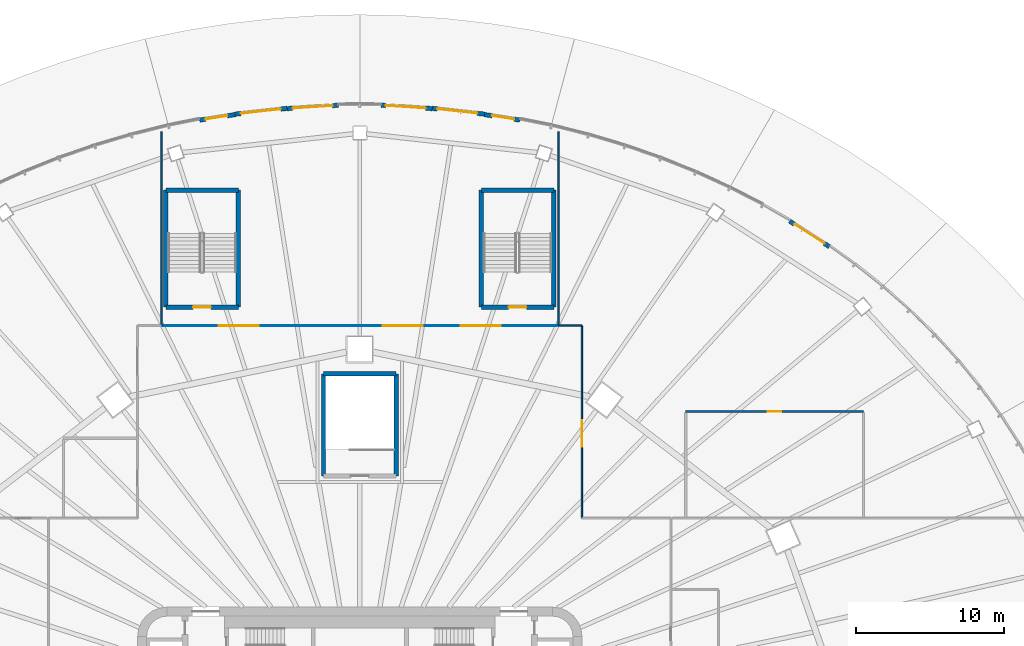
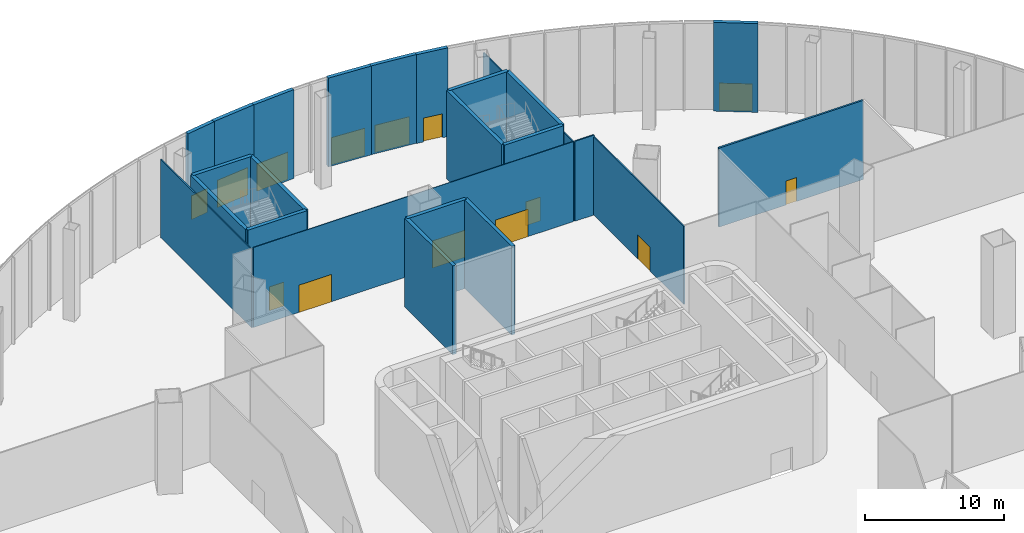
# One storey, part 20 of 36: 24 walls, 14 doors, 14 openings.
"""IFC4 building model written with IfcOpenShell, lengths in metres."""

from ifc_helpers import new_model, si_unit, direction, frame, frame_2d, origin, place, context, subcontext, project, spatial, rectangle, extrude, material, layer, layer_set, type_object, element, fill, save


model = new_model("IFC4")

# Units and contexts
model_context = context("Model", 3, precision=1e-05, world=origin(), true_north=direction((0.0, 1.0)))
body_context = subcontext(model_context, "Body", "Model", "MODEL_VIEW")
ifc_project = project(units=[si_unit("LENGTHUNIT", "METRE"), si_unit("AREAUNIT", "SQUARE_METRE"), si_unit("VOLUMEUNIT", "CUBIC_METRE"), si_unit("PLANEANGLEUNIT", "RADIAN"), si_unit("MASSUNIT", "GRAM", prefix="KILO")], contexts=[model_context])

# Site, building, storey
site_placement = place(None, origin())
site = spatial("IfcSite", under=ifc_project, at=site_placement, CompositionType="ELEMENT")
building_placement = place(site_placement, origin())
building = spatial("IfcBuilding", under=site, at=building_placement, Name="Sahrelin Media Tower", CompositionType="ELEMENT")
storey_placement = place(building_placement, origin())
storey = spatial("IfcBuildingStorey", under=building, at=storey_placement, Name="L00", CompositionType="ELEMENT", Elevation=0.0)

# Wall, opening, door
ifc_material_1 = material(Name="Concrete C40/50", Category="concrete")
ifc_layer_1 = layer(ifc_material_1, 0.300048828125)
ifc_layer_set_1 = layer_set([ifc_layer_1], Name="Entrance pier wall")
wall_type_1 = type_object("IfcWallType", Name="Entrance pier wall", PredefinedType="SOLIDWALL", material=ifc_layer_set_1)
wall_1_placement = place(storey_placement, frame((-4.89111328125, 41.670166015625, 0.0), z_axis=(0.0, 0.0, 1.0), x_axis=(-0.993937913469, -0.109942822269, 0.0)))
wall_1 = element("IfcWall", 1, at=wall_1_placement, inside=storey, type_object=wall_type_1, Name="Entrance pier wall E1", PredefinedType="SOLIDWALL", context=body_context, shape_type="SweptSolid", body=[
    extrude(rectangle(XDim=3.56396484375, YDim=0.300048828125, at=frame_2d((1.781982421875, 0.0))), origin(), (0.0, 0.0, 1.0), 7.800048828125),
])
opening_1_placement = place(wall_1_placement, frame((0.447265625, 0.0, 0.0)))
opening_1 = element("IfcOpeningElement", 2, at=opening_1_placement, cuts=wall_1, Name="Opening L00-D61", PredefinedType="OPENING", context=body_context, shape_type="SweptSolid", body=[
    extrude(rectangle(XDim=2.699951171875, YDim=2.39990234375, at=frame_2d((1.35009765625, 1.199951171875))), frame((0.0, 0.14990234375, 0.0), z_axis=(0.0, -1.0, 0.0), x_axis=(1.0, 0.0, 0.0)), (0.0, 0.0, 1.0), 0.300048828125),
])
ifc_material_2 = material(Name="Champagne anodised aluminium 6063-T6", Category="aluminium")
door_type_1 = type_object("IfcDoorType", Name="Entrance door, automatic double 2700x2400", OperationType="DOUBLE_DOOR_SLIDING", PredefinedType="DOOR", material=ifc_material_2)
door_1_placement = place(opening_1_placement, origin())
door_1 = element("IfcDoor", 3, at=door_1_placement, inside=storey, type_object=door_type_1, Name="L00:DOOR:E1", OperationType="DOUBLE_DOOR_SLIDING", OverallHeight=2.39990234375, OverallWidth=2.699951171875, PredefinedType="DOOR", context=body_context, shape_type="SweptSolid", body=[
    extrude(rectangle(XDim=2.699951171875, YDim=2.39990234375, at=frame_2d((1.35009765625, 1.199951171875))), frame((0.0, 0.02490234375, 0.0), z_axis=(0.0, -1.0, 0.0), x_axis=(1.0, 0.0, 0.0)), (0.0, 0.0, 1.0), 0.050048828125),
])
fill(opening_1, door_1)

wall_2_placement = place(storey_placement, frame((-1.44384765625, 41.8798828125, 0.0), z_axis=(0.0, 0.0, 1.0), x_axis=(-0.997821919581, -0.065965269678, 0.0)))
wall_2 = element("IfcWall", 4, at=wall_2_placement, inside=storey, type_object=wall_type_1, Name="Entrance pier wall E2", PredefinedType="SOLIDWALL", context=body_context, shape_type="SweptSolid", body=[
    extrude(rectangle(XDim=3.453125, YDim=0.300048828125, at=frame_2d((1.7265625, 0.0))), origin(), (0.0, 0.0, 1.0), 7.800048828125),
])
opening_2_placement = place(wall_2_placement, frame((0.39990234375, 0.0, 0.0)))
opening_2 = element("IfcOpeningElement", 5, at=opening_2_placement, cuts=wall_2, Name="Opening L00-D62", PredefinedType="OPENING", context=body_context, shape_type="SweptSolid", body=[
    extrude(rectangle(XDim=2.699951171875, YDim=2.39990234375, at=frame_2d((1.35009765625, 1.199951171875))), frame((0.0, 0.14990234375, 0.0), z_axis=(0.0, -1.0, 0.0), x_axis=(1.0, 0.0, 0.0)), (0.0, 0.0, 1.0), 0.300048828125),
])
door_2_placement = place(opening_2_placement, origin())
door_2 = element("IfcDoor", 6, at=door_2_placement, inside=storey, type_object=door_type_1, Name="L00:DOOR:E2", OperationType="DOUBLE_DOOR_SLIDING", OverallHeight=2.39990234375, OverallWidth=2.699951171875, PredefinedType="DOOR", context=body_context, shape_type="SweptSolid", body=[
    extrude(rectangle(XDim=2.699951171875, YDim=2.39990234375, at=frame_2d((1.35009765625, 1.199951171875))), frame((0.0, 0.02490234375, 0.0), z_axis=(0.0, -1.0, 0.0), x_axis=(1.0, 0.0, 0.0)), (0.0, 0.0, 1.0), 0.050048828125),
])
fill(opening_2, door_2)

wall_3_placement = place(storey_placement, frame((4.889404296875, 41.652099609375, 0.0), z_axis=(0.0, 0.0, 1.0), x_axis=(-0.997821919581, 0.065965269678, 0.0)))
wall_3 = element("IfcWall", 7, at=wall_3_placement, inside=storey, type_object=wall_type_1, Name="Entrance pier wall E3", PredefinedType="SOLIDWALL", context=body_context, shape_type="SweptSolid", body=[
    extrude(rectangle(XDim=3.453125, YDim=0.300048828125, at=frame_2d((1.7265625, 0.0))), origin(), (0.0, 0.0, 1.0), 7.800048828125),
])
opening_3_placement = place(wall_3_placement, frame((0.447021484375, 0.0, 0.0)))
opening_3 = element("IfcOpeningElement", 8, at=opening_3_placement, cuts=wall_3, Name="Opening L00-D63", PredefinedType="OPENING", context=body_context, shape_type="SweptSolid", body=[
    extrude(rectangle(XDim=2.699951171875, YDim=2.39990234375, at=frame_2d((1.35009765625, 1.199951171875))), frame((0.0, 0.14990234375, 0.0), z_axis=(0.0, -1.0, 0.0), x_axis=(1.0, 0.0, 0.0)), (0.0, 0.0, 1.0), 0.300048828125),
])
door_3_placement = place(opening_3_placement, origin())
door_3 = element("IfcDoor", 9, at=door_3_placement, inside=storey, type_object=door_type_1, Name="L00:DOOR:E3", OperationType="DOUBLE_DOOR_SLIDING", OverallHeight=2.39990234375, OverallWidth=2.699951171875, PredefinedType="DOOR", context=body_context, shape_type="SweptSolid", body=[
    extrude(rectangle(XDim=2.699951171875, YDim=2.39990234375, at=frame_2d((1.35009765625, 1.199951171875))), frame((0.0, 0.02490234375, 0.0), z_axis=(0.0, -1.0, 0.0), x_axis=(1.0, 0.0, 0.0)), (0.0, 0.0, 1.0), 0.050048828125),
])
fill(opening_3, door_3)

wall_4_placement = place(storey_placement, frame((8.43359375, 41.2783203125, 0.0), z_axis=(0.0, 0.0, 1.0), x_axis=(-0.993937913469, 0.109942822269, 0.0)))
wall_4 = element("IfcWall", 10, at=wall_4_placement, inside=storey, type_object=wall_type_1, Name="Entrance pier wall E4", PredefinedType="SOLIDWALL", context=body_context, shape_type="SweptSolid", body=[
    extrude(rectangle(XDim=3.56396484375, YDim=0.300048828125, at=frame_2d((1.781982421875, 0.0))), origin(), (0.0, 0.0, 1.0), 7.800048828125),
])
opening_4_placement = place(wall_4_placement, frame((0.511474609375, 0.0, 0.0)))
opening_4 = element("IfcOpeningElement", 11, at=opening_4_placement, cuts=wall_4, Name="Opening L00-D64", PredefinedType="OPENING", context=body_context, shape_type="SweptSolid", body=[
    extrude(rectangle(XDim=2.699951171875, YDim=2.39990234375, at=frame_2d((1.35009765625, 1.199951171875))), frame((0.0, 0.14990234375, 0.0), z_axis=(0.0, -1.0, 0.0), x_axis=(1.0, 0.0, 0.0)), (0.0, 0.0, 1.0), 0.300048828125),
])
door_4_placement = place(opening_4_placement, origin())
door_4 = element("IfcDoor", 12, at=door_4_placement, inside=storey, type_object=door_type_1, Name="L00:DOOR:E4", OperationType="DOUBLE_DOOR_SLIDING", OverallHeight=2.39990234375, OverallWidth=2.699951171875, PredefinedType="DOOR", context=body_context, shape_type="SweptSolid", body=[
    extrude(rectangle(XDim=2.699951171875, YDim=2.39990234375, at=frame_2d((1.35009765625, 1.199951171875))), frame((0.0, 0.02490234375, 0.0), z_axis=(0.0, -1.0, 0.0), x_axis=(1.0, 0.0, 0.0)), (0.0, 0.0, 1.0), 0.050048828125),
])
fill(opening_4, door_4)

wall_5_placement = place(storey_placement, frame((8.4296875, 41.248046875, 0.0), z_axis=(0.0, 0.0, 1.0), x_axis=(0.988096306645, -0.153836565205, 0.0)))
wall_5 = element("IfcWall", 13, at=wall_5_placement, inside=storey, type_object=wall_type_1, Name="Entrance pier wall E9", PredefinedType="SOLIDWALL", context=body_context, shape_type="SweptSolid", body=[
    extrude(rectangle(XDim=2.412353515625, YDim=0.300048828125, at=frame_2d((1.2060546875, 0.0))), origin(), (0.0, 0.0, 1.0), 7.800048828125),
])
opening_5_placement = place(wall_5_placement, frame((0.51220703125, 0.0, 0.0)))
opening_5 = element("IfcOpeningElement", 14, at=opening_5_placement, cuts=wall_5, Name="Opening L00-D69", PredefinedType="OPENING", context=body_context, shape_type="SweptSolid", body=[
    extrude(rectangle(XDim=1.5, YDim=2.10009765625, at=frame_2d((0.75, 1.050048828125))), frame((0.0, 0.14990234375, 0.0), z_axis=(0.0, -1.0, 0.0), x_axis=(1.0, 0.0, 0.0)), (0.0, 0.0, 1.0), 0.300048828125),
])
door_type_2 = type_object("IfcDoorType", Name="Stair discharge door 1500x2100", OperationType="SINGLE_SWING_RIGHT", PredefinedType="DOOR", material=ifc_material_2)
door_5_placement = place(opening_5_placement, origin())
door_5 = element("IfcDoor", 15, at=door_5_placement, inside=storey, type_object=door_type_2, Name="L00:DOOR:E9", OperationType="SINGLE_SWING_RIGHT", OverallHeight=2.10009765625, OverallWidth=1.5, PredefinedType="DOOR", context=body_context, shape_type="SweptSolid", body=[
    extrude(rectangle(XDim=1.5, YDim=2.10009765625, at=frame_2d((0.75, 1.050048828125))), frame((0.0, 0.02490234375, 0.0), z_axis=(0.0, -1.0, 0.0), x_axis=(1.0, 0.0, 0.0)), (0.0, 0.0, 1.0), 0.050048828125),
])
fill(opening_5, door_5)

wall_6_placement = place(storey_placement, frame((-10.813232421875, 40.876953125, 0.0), z_axis=(0.0, 0.0, 1.0), x_axis=(0.988096306645, 0.153836565205, 0.0)))
wall_6 = element("IfcWall", 16, at=wall_6_placement, inside=storey, type_object=wall_type_1, Name="Entrance pier wall E10", PredefinedType="SOLIDWALL", context=body_context, shape_type="SweptSolid", body=[
    extrude(rectangle(XDim=2.412353515625, YDim=0.300048828125, at=frame_2d((1.2060546875, 0.0))), origin(), (0.0, 0.0, 1.0), 7.800048828125),
])
opening_6_placement = place(wall_6_placement, frame((0.39990234375, 0.0, 0.0)))
opening_6 = element("IfcOpeningElement", 17, at=opening_6_placement, cuts=wall_6, Name="Opening L00-D70", PredefinedType="OPENING", context=body_context, shape_type="SweptSolid", body=[
    extrude(rectangle(XDim=1.5, YDim=2.10009765625, at=frame_2d((0.75, 1.050048828125))), frame((0.0, 0.14990234375, 0.0), z_axis=(0.0, -1.0, 0.0), x_axis=(1.0, 0.0, 0.0)), (0.0, 0.0, 1.0), 0.300048828125),
])
door_6_placement = place(opening_6_placement, origin())
door_6 = element("IfcDoor", 18, at=door_6_placement, inside=storey, type_object=door_type_2, Name="L00:DOOR:E10", OperationType="SINGLE_SWING_RIGHT", OverallHeight=2.10009765625, OverallWidth=1.5, PredefinedType="DOOR", context=body_context, shape_type="SweptSolid", body=[
    extrude(rectangle(XDim=1.5, YDim=2.10009765625, at=frame_2d((0.75, 1.050048828125))), frame((0.0, 0.02490234375, 0.0), z_axis=(0.0, -1.0, 0.0), x_axis=(1.0, 0.0, 0.0)), (0.0, 0.0, 1.0), 0.050048828125),
])
fill(opening_6, door_6)

wall_7_placement = place(storey_placement, frame((31.70166015625, 32.328125, 0.0), z_axis=(0.0, 0.0, 1.0), x_axis=(-0.840530889262, 0.541763623913, 0.0)))
wall_7 = element("IfcWall", 19, at=wall_7_placement, inside=storey, type_object=wall_type_1, Name="Entrance pier wall E13", PredefinedType="SOLIDWALL", context=body_context, shape_type="SweptSolid", body=[
    extrude(rectangle(XDim=3.199951171875, YDim=0.300048828125, at=frame_2d((1.60009765625, 0.0))), origin(), (0.0, 0.0, 1.0), 7.800048828125),
])
opening_7_placement = place(wall_7_placement, frame((0.39990234375, 0.0, 0.0)))
opening_7 = element("IfcOpeningElement", 20, at=opening_7_placement, cuts=wall_7, Name="Opening L00-D75", PredefinedType="OPENING", context=body_context, shape_type="SweptSolid", body=[
    extrude(rectangle(XDim=2.39990234375, YDim=2.39990234375, at=frame_2d((1.199951171875, 1.199951171875))), frame((0.0, 0.14990234375, 0.0), z_axis=(0.0, -1.0, 0.0), x_axis=(1.0, 0.0, 0.0)), (0.0, 0.0, 1.0), 0.300048828125),
])
door_type_3 = type_object("IfcDoorType", Name="Entrance door, automatic double 2400x2400", OperationType="DOUBLE_DOOR_SLIDING", PredefinedType="DOOR", material=ifc_material_2)
door_7_placement = place(opening_7_placement, origin())
door_7 = element("IfcDoor", 21, at=door_7_placement, inside=storey, type_object=door_type_3, Name="L00:DOOR:E13", OperationType="DOUBLE_DOOR_SLIDING", OverallHeight=2.39990234375, OverallWidth=2.39990234375, PredefinedType="DOOR", context=body_context, shape_type="SweptSolid", body=[
    extrude(rectangle(XDim=2.39990234375, YDim=2.39990234375, at=frame_2d((1.199951171875, 1.199951171875))), frame((0.0, 0.02490234375, 0.0), z_axis=(0.0, -1.0, 0.0), x_axis=(1.0, 0.0, 0.0)), (0.0, 0.0, 1.0), 0.050048828125),
])
fill(opening_7, door_7)

ifc_material_3 = material(Name="Fire-rated gypsum board partition")
ifc_layer_2 = layer(ifc_material_3, 0.14990234375)
ifc_layer_set_2 = layer_set([ifc_layer_2], Name="Fire-rated partition 150")
wall_type_2 = type_object("IfcWallType", Name="Fire-rated partition 150", PredefinedType="PARTITIONING", material=ifc_layer_set_2)
wall_8_placement = place(storey_placement, frame((22.0, 21.199951171875, 0.0), z_axis=(0.0, 0.0, 1.0), x_axis=(1.0, 0.0, 0.0)))
wall_8 = element("IfcWall", 22, at=wall_8_placement, inside=storey, type_object=wall_type_2, Name="Wall", PredefinedType="PARTITIONING", context=body_context, shape_type="SweptSolid", body=[
    extrude(rectangle(XDim=12.0, YDim=0.14990234375, at=frame_2d((6.0, 0.0))), origin(), (0.0, 0.0, 1.0), 6.9453125),
])
opening_8_placement = place(wall_8_placement, frame((5.550048828125, 0.0, 0.0)))
opening_8 = element("IfcOpeningElement", 23, at=opening_8_placement, cuts=wall_8, Name="Opening L00-D26", PredefinedType="OPENING", context=body_context, shape_type="SweptSolid", body=[
    extrude(rectangle(XDim=0.89990234375, YDim=2.10009765625, at=frame_2d((0.449951171875, 1.050048828125))), frame((0.0, 0.074951171875, 0.0), z_axis=(0.0, -1.0, 0.0), x_axis=(1.0, 0.0, 0.0)), (0.0, 0.0, 1.0), 0.14990234375),
])
ifc_material_4 = material(Name="Timber door leaf", Category="wood")
door_type_4 = type_object("IfcDoorType", Name="Single door 900 x 2100", OperationType="NOTDEFINED", PredefinedType="DOOR", material=ifc_material_4)
door_8_placement = place(opening_8_placement, origin())
door_8 = element("IfcDoor", 24, at=door_8_placement, inside=storey, type_object=door_type_4, Name="Single door", OperationType="SINGLE_SWING_RIGHT", OverallHeight=2.10009765625, OverallWidth=0.89990234375, PredefinedType="DOOR", context=body_context, shape_type="SweptSolid", body=[
    extrude(rectangle(XDim=0.89990234375, YDim=2.10009765625, at=frame_2d((0.449951171875, 1.050048828125))), frame((0.0, 0.02490234375, 0.0), z_axis=(0.0, -1.0, 0.0), x_axis=(1.0, 0.0, 0.0)), (0.0, 0.0, 1.0), 0.050048828125),
])
fill(opening_8, door_8)

# Wall, openings, doors
ifc_material_5 = material(Name="Clear glass", Category="glass")
ifc_layer_3 = layer(ifc_material_5, 0.050048828125)
ifc_layer_set_3 = layer_set([ifc_layer_3], Name="Glazed partition 50")
wall_type_3 = type_object("IfcWallType", Name="Glazed partition 50", PredefinedType="PARTITIONING", material=ifc_layer_set_3)
wall_9_placement = place(storey_placement, frame((-13.30419921875, 27.0, 0.0), z_axis=(0.0, 0.0, 1.0), x_axis=(1.0, 0.0, 0.0)))
wall_9 = element("IfcWall", 25, at=wall_9_placement, inside=storey, type_object=wall_type_3, Name="Wall", PredefinedType="PARTITIONING", context=body_context, shape_type="SweptSolid", body=[
    extrude(rectangle(XDim=26.6083984375, YDim=0.050048828125, at=frame_2d((13.30419921875, 0.0))), origin(), (0.0, 0.0, 1.0), 7.02587890625),
])
opening_9_placement = place(wall_9_placement, frame((3.7958984375, 0.0, 0.0)))
opening_9 = element("IfcOpeningElement", 26, at=opening_9_placement, cuts=wall_9, Name="Opening L00-D19", PredefinedType="OPENING", context=body_context, shape_type="SweptSolid", body=[
    extrude(rectangle(XDim=2.699951171875, YDim=2.39990234375, at=frame_2d((1.35009765625, 1.199951171875))), frame((0.0, 0.02490234375, 0.0), z_axis=(0.0, -1.0, 0.0), x_axis=(1.0, 0.0, 0.0)), (0.0, 0.0, 1.0), 0.050048828125),
])
opening_10_placement = place(wall_9_placement, frame((14.867919921875, 0.0, 0.0)))
opening_10 = element("IfcOpeningElement", 27, at=opening_10_placement, cuts=wall_9, Name="Opening L00-D21", PredefinedType="OPENING", context=body_context, shape_type="SweptSolid", body=[
    extrude(rectangle(XDim=2.699951171875, YDim=2.39990234375, at=frame_2d((1.35009765625, 1.199951171875))), frame((0.0, 0.02490234375, 0.0), z_axis=(0.0, -1.0, 0.0), x_axis=(1.0, 0.0, 0.0)), (0.0, 0.0, 1.0), 0.050048828125),
])
opening_11_placement = place(wall_9_placement, frame((20.112060546875, 0.0, 0.0)))
opening_11 = element("IfcOpeningElement", 28, at=opening_11_placement, cuts=wall_9, Name="Opening L00-D23", PredefinedType="OPENING", context=body_context, shape_type="SweptSolid", body=[
    extrude(rectangle(XDim=2.699951171875, YDim=2.39990234375, at=frame_2d((1.35009765625, 1.199951171875))), frame((0.0, 0.02490234375, 0.0), z_axis=(0.0, -1.0, 0.0), x_axis=(1.0, 0.0, 0.0)), (0.0, 0.0, 1.0), 0.050048828125),
])
door_type_5 = type_object("IfcDoorType", Name="Automatic sliding door 2700 x 2400", OperationType="DOUBLE_DOOR_SLIDING", PredefinedType="DOOR", material=ifc_material_5)
door_9_placement = place(opening_9_placement, origin())
door_9 = element("IfcDoor", 29, at=door_9_placement, inside=storey, type_object=door_type_5, Name="Automatic sliding door", OperationType="DOUBLE_DOOR_SLIDING", OverallHeight=2.39990234375, OverallWidth=2.699951171875, PredefinedType="DOOR", context=body_context, shape_type="SweptSolid", body=[
    extrude(rectangle(XDim=2.699951171875, YDim=2.39990234375, at=frame_2d((1.35009765625, 1.199951171875))), frame((0.0, 0.02490234375, 0.0), z_axis=(0.0, -1.0, 0.0), x_axis=(1.0, 0.0, 0.0)), (0.0, 0.0, 1.0), 0.049560546875),
])
fill(opening_9, door_9)
door_10_placement = place(opening_10_placement, origin())
door_10 = element("IfcDoor", 30, at=door_10_placement, inside=storey, type_object=door_type_5, Name="Automatic sliding door", OperationType="DOUBLE_DOOR_SLIDING", OverallHeight=2.39990234375, OverallWidth=2.699951171875, PredefinedType="DOOR", context=body_context, shape_type="SweptSolid", body=[
    extrude(rectangle(XDim=2.699951171875, YDim=2.39990234375, at=frame_2d((1.35009765625, 1.199951171875))), frame((0.0, 0.02490234375, 0.0), z_axis=(0.0, -1.0, 0.0), x_axis=(1.0, 0.0, 0.0)), (0.0, 0.0, 1.0), 0.049560546875),
])
fill(opening_10, door_10)
door_11_placement = place(opening_11_placement, origin())
door_11 = element("IfcDoor", 31, at=door_11_placement, inside=storey, type_object=door_type_5, Name="Automatic sliding door", OperationType="DOUBLE_DOOR_SLIDING", OverallHeight=2.39990234375, OverallWidth=2.699951171875, PredefinedType="DOOR", context=body_context, shape_type="SweptSolid", body=[
    extrude(rectangle(XDim=2.699951171875, YDim=2.39990234375, at=frame_2d((1.35009765625, 1.199951171875))), frame((0.0, 0.02490234375, 0.0), z_axis=(0.0, -1.0, 0.0), x_axis=(1.0, 0.0, 0.0)), (0.0, 0.0, 1.0), 0.049560546875),
])
fill(opening_11, door_11)

# Walls
ifc_material_6 = material(Name="Gypsum board partition")
ifc_layer_4 = layer(ifc_material_6, 0.10009765625)
ifc_layer_set_4 = layer_set([ifc_layer_4], Name="Partition 100")
wall_type_4 = type_object("IfcWallType", Name="Partition 100", PredefinedType="PARTITIONING", material=ifc_layer_set_4)
wall_10_placement = place(storey_placement, frame((13.39990234375, 40.093994140625, 0.0), z_axis=(0.0, 0.0, 1.0), x_axis=(0.0, -1.0, 0.0)))
element("IfcWall", 32, at=wall_10_placement, inside=storey, type_object=wall_type_4, Name="Wall", PredefinedType="PARTITIONING", context=body_context, shape_type="SweptSolid", body=[
    extrude(rectangle(XDim=13.093994140625, YDim=0.10009765625, at=frame_2d((6.546875, 0.0))), origin(), (0.0, 0.0, 1.0), 6.876953125),
])
wall_11_placement = place(storey_placement, frame((13.39990234375, 27.0, 0.0), z_axis=(0.0, 0.0, 1.0), x_axis=(1.0, 0.0, 0.0)))
element("IfcWall", 33, at=wall_11_placement, inside=storey, type_object=wall_type_4, Name="Wall", PredefinedType="PARTITIONING", context=body_context, shape_type="SweptSolid", body=[
    extrude(rectangle(XDim=1.60009765625, YDim=0.10009765625, at=frame_2d((0.800048828125, 0.0))), origin(), (0.0, 0.0, 1.0), 7.02587890625),
])

# Wall, opening, door
wall_12_placement = place(storey_placement, frame((15.0, 27.0, 0.0), z_axis=(0.0, 0.0, 1.0), x_axis=(0.0, -1.0, 0.0)))
wall_12 = element("IfcWall", 34, at=wall_12_placement, inside=storey, type_object=wall_type_4, Name="Wall", PredefinedType="PARTITIONING", context=body_context, shape_type="SweptSolid", body=[
    extrude(rectangle(XDim=13.0, YDim=0.10009765625, at=frame_2d((6.5, 0.0))), origin(), (0.0, 0.0, 1.0), 6.8681640625),
])
opening_12_placement = place(wall_12_placement, frame((6.3798828125, 0.0, 0.0)))
opening_12 = element("IfcOpeningElement", 35, at=opening_12_placement, cuts=wall_12, Name="Opening L00-D25", PredefinedType="OPENING", context=body_context, shape_type="SweptSolid", body=[
    extrude(rectangle(XDim=1.800048828125, YDim=2.10009765625, at=frame_2d((0.89990234375, 1.050048828125))), frame((0.0, 0.050048828125, 0.0), z_axis=(0.0, -1.0, 0.0), x_axis=(1.0, 0.0, 0.0)), (0.0, 0.0, 1.0), 0.10009765625),
])
door_type_6 = type_object("IfcDoorType", Name="Double door 1800 x 2100", OperationType="DOUBLE_DOOR_SINGLE_SWING", PredefinedType="DOOR", material=ifc_material_4)
door_12_placement = place(opening_12_placement, origin())
door_12 = element("IfcDoor", 36, at=door_12_placement, inside=storey, type_object=door_type_6, Name="Double door", OperationType="DOUBLE_DOOR_SINGLE_SWING", OverallHeight=2.10009765625, OverallWidth=1.800048828125, PredefinedType="DOOR", context=body_context, shape_type="SweptSolid", body=[
    extrude(rectangle(XDim=1.800048828125, YDim=2.10009765625, at=frame_2d((0.89990234375, 1.050048828125))), frame((0.0, 0.02490234375, 0.0), z_axis=(0.0, -1.0, 0.0), x_axis=(1.0, 0.0, 0.0)), (0.0, 0.0, 1.0), 0.050048828125),
])
fill(opening_12, door_12)

# Wall
wall_13_placement = place(storey_placement, frame((-13.39990234375, 40.093994140625, 0.0), z_axis=(0.0, 0.0, 1.0), x_axis=(0.0, -1.0, 0.0)))
element("IfcWall", 37, at=wall_13_placement, inside=storey, type_object=wall_type_4, Name="Wall", PredefinedType="PARTITIONING", context=body_context, shape_type="SweptSolid", body=[
    extrude(rectangle(XDim=13.093994140625, YDim=0.10009765625, at=frame_2d((6.546875, 0.0))), origin(), (0.0, 0.0, 1.0), 6.876953125),
])

# Wall, opening, door
ifc_material_7 = material(Name="Concrete C60/75", Category="concrete")
ifc_layer_5 = layer(ifc_material_7, 0.300048828125)
ifc_layer_set_5 = layer_set([ifc_layer_5], Name="Stair enclosure wall 300")
wall_type_5 = type_object("IfcWallType", Name="Stair enclosure wall 300", PredefinedType="SOLIDWALL", material=ifc_layer_set_5)
wall_14_placement = place(storey_placement, frame((13.10009765625, 28.25, 0.0), z_axis=(0.0, 0.0, 1.0), x_axis=(-1.0, 0.0, 0.0)))
wall_14 = element("IfcWall", 38, at=wall_14_placement, inside=storey, type_object=wall_type_5, Name="Stair PS1", PredefinedType="SOLIDWALL", context=body_context, shape_type="SweptSolid", body=[
    extrude(rectangle(XDim=4.900146484375, YDim=0.300048828125, at=frame_2d((2.4501953125, 0.0))), origin(), (0.0, 0.0, 1.0), 7.800048828125),
])
opening_13_placement = place(wall_14_placement, frame((1.85009765625, 0.0, 0.0)))
opening_13 = element("IfcOpeningElement", 39, at=opening_13_placement, cuts=wall_14, Name="Opening L00-D40", PredefinedType="OPENING", context=body_context, shape_type="SweptSolid", body=[
    extrude(rectangle(XDim=1.199951171875, YDim=2.10009765625, at=frame_2d((0.60009765625, 1.050048828125))), frame((0.0, 0.14990234375, 0.0), z_axis=(0.0, -1.0, 0.0), x_axis=(1.0, 0.0, 0.0)), (0.0, 0.0, 1.0), 0.300048828125),
])
ifc_material_8 = material(Name="Steel fire door leaf", Category="steel")
door_type_7 = type_object("IfcDoorType", Name="Stair door 1200 x 2100 EI 120", OperationType="NOTDEFINED", PredefinedType="DOOR", material=ifc_material_8)
door_13_placement = place(opening_13_placement, origin())
door_13 = element("IfcDoor", 40, at=door_13_placement, inside=storey, type_object=door_type_7, Name="Stair door", OperationType="SINGLE_SWING_RIGHT", OverallHeight=2.10009765625, OverallWidth=1.199951171875, PredefinedType="DOOR", context=body_context, shape_type="SweptSolid", body=[
    extrude(rectangle(XDim=1.199951171875, YDim=2.10009765625, at=frame_2d((0.60009765625, 1.050048828125))), frame((0.0, 0.02490234375, 0.0), z_axis=(0.0, -1.0, 0.0), x_axis=(1.0, 0.0, 0.0)), (0.0, 0.0, 1.0), 0.050048828125),
])
fill(opening_13, door_13)

# Walls
wall_15_placement = place(storey_placement, frame((8.199951171875, 28.25, 0.0), z_axis=(0.0, 0.0, 1.0), x_axis=(0.0, 1.0, 0.0)))
element("IfcWall", 41, at=wall_15_placement, inside=storey, type_object=wall_type_5, Name="Stair PS1", PredefinedType="SOLIDWALL", context=body_context, shape_type="SweptSolid", body=[
    extrude(rectangle(XDim=7.89990234375, YDim=0.300048828125, at=frame_2d((3.949951171875, 0.0))), origin(), (0.0, 0.0, 1.0), 7.800048828125),
])
wall_16_placement = place(storey_placement, frame((8.199951171875, 36.14990234375, 0.0), z_axis=(0.0, 0.0, 1.0), x_axis=(1.0, 0.0, 0.0)))
element("IfcWall", 42, at=wall_16_placement, inside=storey, type_object=wall_type_5, Name="Stair PS1", PredefinedType="SOLIDWALL", context=body_context, shape_type="SweptSolid", body=[
    extrude(rectangle(XDim=4.900146484375, YDim=0.300048828125, at=frame_2d((2.4501953125, 0.0))), origin(), (0.0, 0.0, 1.0), 7.800048828125),
])
wall_17_placement = place(storey_placement, frame((13.10009765625, 36.14990234375, 0.0), z_axis=(0.0, 0.0, 1.0), x_axis=(0.0, -1.0, 0.0)))
element("IfcWall", 43, at=wall_17_placement, inside=storey, type_object=wall_type_5, Name="Stair PS1", PredefinedType="SOLIDWALL", context=body_context, shape_type="SweptSolid", body=[
    extrude(rectangle(XDim=7.89990234375, YDim=0.300048828125, at=frame_2d((3.949951171875, 0.0))), origin(), (0.0, 0.0, 1.0), 7.800048828125),
])

# Wall, opening, door
wall_18_placement = place(storey_placement, frame((-8.199951171875, 28.25, 0.0), z_axis=(0.0, 0.0, 1.0), x_axis=(-1.0, 0.0, 0.0)))
wall_18 = element("IfcWall", 44, at=wall_18_placement, inside=storey, type_object=wall_type_5, Name="Stair PS2", PredefinedType="SOLIDWALL", context=body_context, shape_type="SweptSolid", body=[
    extrude(rectangle(XDim=4.900146484375, YDim=0.300048828125, at=frame_2d((2.4501953125, 0.0))), origin(), (0.0, 0.0, 1.0), 7.800048828125),
])
opening_14_placement = place(wall_18_placement, frame((1.85009765625, 0.0, 0.0)))
opening_14 = element("IfcOpeningElement", 45, at=opening_14_placement, cuts=wall_18, Name="Opening L00-D41", PredefinedType="OPENING", context=body_context, shape_type="SweptSolid", body=[
    extrude(rectangle(XDim=1.199951171875, YDim=2.10009765625, at=frame_2d((0.60009765625, 1.050048828125))), frame((0.0, 0.14990234375, 0.0), z_axis=(0.0, -1.0, 0.0), x_axis=(1.0, 0.0, 0.0)), (0.0, 0.0, 1.0), 0.300048828125),
])
door_14_placement = place(opening_14_placement, origin())
door_14 = element("IfcDoor", 46, at=door_14_placement, inside=storey, type_object=door_type_7, Name="Stair door", OperationType="SINGLE_SWING_RIGHT", OverallHeight=2.10009765625, OverallWidth=1.199951171875, PredefinedType="DOOR", context=body_context, shape_type="SweptSolid", body=[
    extrude(rectangle(XDim=1.199951171875, YDim=2.10009765625, at=frame_2d((0.60009765625, 1.050048828125))), frame((0.0, 0.02490234375, 0.0), z_axis=(0.0, -1.0, 0.0), x_axis=(1.0, 0.0, 0.0)), (0.0, 0.0, 1.0), 0.050048828125),
])
fill(opening_14, door_14)

# Walls
wall_19_placement = place(storey_placement, frame((-13.10009765625, 28.25, 0.0), z_axis=(0.0, 0.0, 1.0), x_axis=(0.0, 1.0, 0.0)))
element("IfcWall", 47, at=wall_19_placement, inside=storey, type_object=wall_type_5, Name="Stair PS2", PredefinedType="SOLIDWALL", context=body_context, shape_type="SweptSolid", body=[
    extrude(rectangle(XDim=7.89990234375, YDim=0.300048828125, at=frame_2d((3.949951171875, 0.0))), origin(), (0.0, 0.0, 1.0), 7.800048828125),
])
wall_20_placement = place(storey_placement, frame((-13.10009765625, 36.14990234375, 0.0), z_axis=(0.0, 0.0, 1.0), x_axis=(1.0, 0.0, 0.0)))
element("IfcWall", 48, at=wall_20_placement, inside=storey, type_object=wall_type_5, Name="Stair PS2", PredefinedType="SOLIDWALL", context=body_context, shape_type="SweptSolid", body=[
    extrude(rectangle(XDim=4.900146484375, YDim=0.300048828125, at=frame_2d((2.4501953125, 0.0))), origin(), (0.0, 0.0, 1.0), 7.800048828125),
])
wall_21_placement = place(storey_placement, frame((-8.199951171875, 36.14990234375, 0.0), z_axis=(0.0, 0.0, 1.0), x_axis=(0.0, -1.0, 0.0)))
element("IfcWall", 49, at=wall_21_placement, inside=storey, type_object=wall_type_5, Name="Stair PS2", PredefinedType="SOLIDWALL", context=body_context, shape_type="SweptSolid", body=[
    extrude(rectangle(XDim=7.89990234375, YDim=0.300048828125, at=frame_2d((3.949951171875, 0.0))), origin(), (0.0, 0.0, 1.0), 7.800048828125),
])
wall_22_placement = place(storey_placement, frame((-2.449951171875, 16.85009765625, 0.0), z_axis=(0.0, 0.0, 1.0), x_axis=(0.0, 1.0, 0.0)))
element("IfcWall", 50, at=wall_22_placement, inside=storey, type_object=wall_type_5, Name="Stair BS1", PredefinedType="SOLIDWALL", context=body_context, shape_type="SweptSolid", body=[
    extrude(rectangle(XDim=6.89990234375, YDim=0.300048828125, at=frame_2d((3.449951171875, 0.0))), origin(), (0.0, 0.0, 1.0), 7.800048828125),
])
wall_23_placement = place(storey_placement, frame((-2.449951171875, 23.75, 0.0), z_axis=(0.0, 0.0, 1.0), x_axis=(1.0, 0.0, 0.0)))
element("IfcWall", 51, at=wall_23_placement, inside=storey, type_object=wall_type_5, Name="Stair BS1", PredefinedType="SOLIDWALL", context=body_context, shape_type="SweptSolid", body=[
    extrude(rectangle(XDim=4.89990234375, YDim=0.300048828125, at=frame_2d((2.449951171875, 0.0))), origin(), (0.0, 0.0, 1.0), 7.800048828125),
])
wall_24_placement = place(storey_placement, frame((2.449951171875, 23.75, 0.0), z_axis=(0.0, 0.0, 1.0), x_axis=(0.0, -1.0, 0.0)))
element("IfcWall", 52, at=wall_24_placement, inside=storey, type_object=wall_type_5, Name="Stair BS1", PredefinedType="SOLIDWALL", context=body_context, shape_type="SweptSolid", body=[
    extrude(rectangle(XDim=6.89990234375, YDim=0.300048828125, at=frame_2d((3.449951171875, 0.0))), origin(), (0.0, 0.0, 1.0), 7.800048828125),
])

save(model, "model.ifc")
